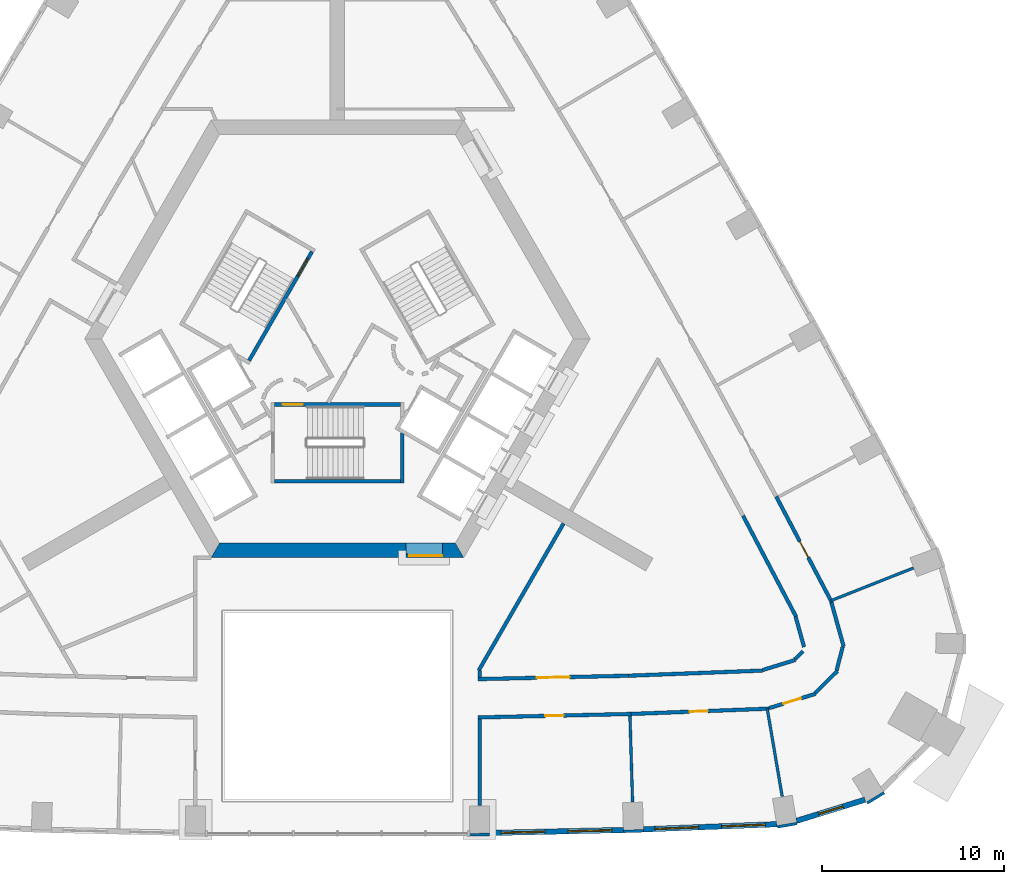
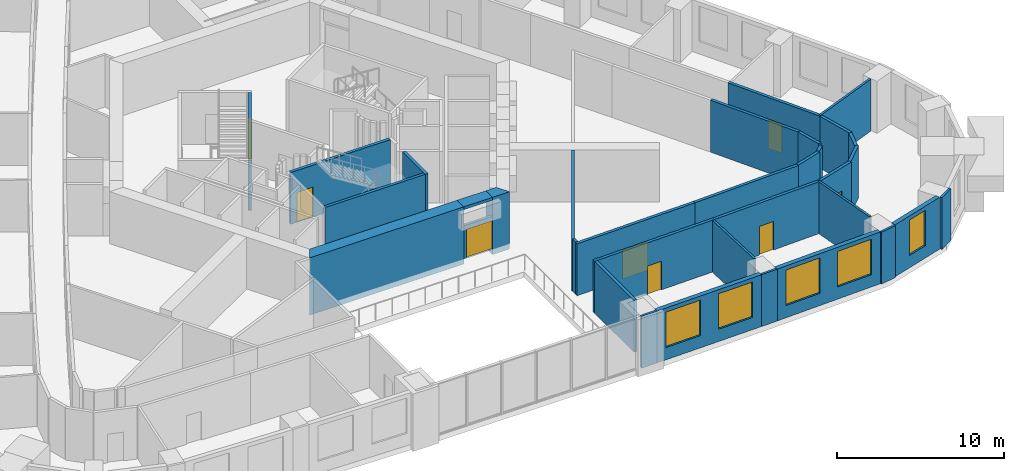
# One storey, part 6 of 14: 34 walls, 8 doors, 5 windows, 13 openings.
"""IFC4 building model written with IfcOpenShell, lengths in metres."""

import ifcopenshell
import ifcopenshell.guid

model = None  # the IFC model being written
_history = None  # IfcOwnerHistory: only IFC2X3 demands one
_inside = {}  # id of a spatial element -> (the spatial element, [elements in it])
_under = {}  # id of a project, library or spatial element -> (it, [spatial elements below it])
_declared = {}  # id of a project -> (the project, [libraries it declares])
_typed = {}  # id of a type object -> (the type object, [elements of that type])
_made_of = {}  # id of a material, layer set ... -> (it, [elements and type objects made of it])


def new_model(schema):
    """Start an empty IFC model of exactly this schema.

    Asked for "IFC4X3", IfcOpenShell would pick the latest addendum, in which some entities
    have other attributes; the version numbers below select the first issue.
    IFC2X3 requires an IfcOwnerHistory on every rooted entity: one is made here for all.
    """
    global model, _history
    if schema == "IFC4X3":
        model = ifcopenshell.file(schema_version=(4, 3, 0, 0))
    else:
        model = ifcopenshell.file(schema=schema)
    _inside.clear()
    _under.clear()
    _declared.clear()
    _typed.clear()
    _made_of.clear()
    _history = None
    if model.schema == "IFC2X3":
        org = make("IfcOrganization", Name="unknown")
        user = make(
            "IfcPersonAndOrganization",
            ThePerson=make("IfcPerson", FamilyName="unknown"),
            TheOrganization=org,
        )
        app = make(
            "IfcApplication",
            ApplicationDeveloper=org,
            Version="unknown",
            ApplicationFullName="unknown",
            ApplicationIdentifier="unknown",
        )
        _history = make(
            "IfcOwnerHistory",
            OwningUser=user,
            OwningApplication=app,
            ChangeAction="ADDED",
            CreationDate=0,
        )
    return model


def make(cls, **values):
    """One entity of the class cls with the attributes given. An attribute that is None is left unset."""
    return model.create_entity(
        cls, **{name: value for name, value in values.items() if value is not None}
    )


def rooted(cls, **values):
    """An entity with a GlobalId (a new one), such as an element, a storey or a relation."""
    return make(cls, GlobalId=ifcopenshell.guid.new(), OwnerHistory=_history, **values)


def si_unit(unit_type, name, prefix=None):
    """IfcSIUnit, for example si_unit("LENGTHUNIT", "METRE", prefix="MILLI")."""
    return make("IfcSIUnit", UnitType=unit_type, Prefix=prefix, Name=name)


def assignment(units):
    """IfcUnitAssignment: the units of a project."""
    return None if units is None else make("IfcUnitAssignment", Units=units)


def point(xyz):
    """IfcCartesianPoint."""
    return None if xyz is None else make("IfcCartesianPoint", Coordinates=xyz)


def direction(xyz):
    """IfcDirection."""
    return None if xyz is None else make("IfcDirection", DirectionRatios=xyz)


def frame(location, z_axis=None, x_axis=None):
    """IfcAxis2Placement3D, a coordinate frame: its origin and axes. An axis left out is left unset."""
    return make(
        "IfcAxis2Placement3D",
        Location=point(location),
        Axis=direction(z_axis),
        RefDirection=direction(x_axis),
    )


def frame_2d(location, x_axis=None):
    """IfcAxis2Placement2D, a coordinate frame in the plane: its origin and x axis."""
    return make(
        "IfcAxis2Placement2D", Location=point(location), RefDirection=direction(x_axis)
    )


def origin():
    """The frame at (0, 0, 0) with its axes left unset."""
    return frame((0.0, 0.0, 0.0))


def place(relative_to, where):
    """IfcLocalPlacement: puts the frame where relative to a parent placement (None: the world)."""
    return make(
        "IfcLocalPlacement", PlacementRelTo=relative_to, RelativePlacement=where
    )


def context(
    kind, dimensions, precision=None, world=None, true_north=None, identifier=None
):
    """IfcGeometricRepresentationContext, for example the 3D "Model" context."""
    return make(
        "IfcGeometricRepresentationContext",
        ContextIdentifier=identifier,
        ContextType=kind,
        CoordinateSpaceDimension=dimensions,
        Precision=precision,
        WorldCoordinateSystem=world,
        TrueNorth=true_north,
    )


def subcontext(parent, identifier, kind, view, scale=None):
    """IfcGeometricRepresentationSubContext, for example "Body" below "Model"."""
    return make(
        "IfcGeometricRepresentationSubContext",
        ContextIdentifier=identifier,
        ContextType=kind,
        ParentContext=parent,
        TargetScale=scale,
        TargetView=view,
    )


def project(units=None, contexts=None):
    """IfcProject with its units and contexts."""
    return rooted(
        "IfcProject",
        Name="project",
        RepresentationContexts=contexts,
        UnitsInContext=assignment(units),
    )


def spatial(cls, under=None, at=None, **own):
    """A site, building, storey or space (cls), placed at a placement, below another one or the project."""
    s = rooted(cls, ObjectPlacement=at, **own)
    if under is not None:
        _under.setdefault(under.id(), (under, []))[1].append(s)
    return s


def polyline(points):
    """IfcPolyline through the points."""
    return make("IfcPolyline", Points=[point(p) for p in points])


def profile(cls, at=None, kind="AREA", **sizes):
    """A parametric profile (cls). Its sizes go by their IFC names, for example OverallWidth=200.0."""
    return make(cls, ProfileType=kind, Position=at, **sizes)


def rectangle(**sizes):
    """IfcRectangleProfileDef."""
    return profile("IfcRectangleProfileDef", **sizes)


def outline(outer, holes=None, kind="AREA"):
    """IfcArbitraryClosedProfileDef: a profile drawn as a closed curve; with holes, ...WithVoids."""
    if holes is None:
        return make("IfcArbitraryClosedProfileDef", ProfileType=kind, OuterCurve=outer)
    return make(
        "IfcArbitraryProfileDefWithVoids",
        ProfileType=kind,
        OuterCurve=outer,
        InnerCurves=holes,
    )


def extrude(swept, where, along, depth):
    """IfcExtrudedAreaSolid: the profile swept, set in the frame where, extruded along a direction by depth."""
    return make(
        "IfcExtrudedAreaSolid",
        SweptArea=swept,
        Position=where,
        ExtrudedDirection=direction(along),
        Depth=depth,
    )


def shape(context_of_items, identifier, shape_type, items):
    """IfcShapeRepresentation: the items that make up one representation, for example the "Body"."""
    return make(
        "IfcShapeRepresentation",
        ContextOfItems=context_of_items,
        RepresentationIdentifier=identifier,
        RepresentationType=shape_type,
        Items=items,
    )


def material(Name=None, Category=None):
    """IfcMaterial."""
    return make("IfcMaterial", Name=Name, Category=Category)


def layer(
    of_material, thickness, ventilated=None, Name=None, Category=None, Priority=None
):
    """IfcMaterialLayer: one layer of a wall or slab, of a material (None: an air gap)."""
    return make(
        "IfcMaterialLayer",
        Material=of_material,
        LayerThickness=thickness,
        IsVentilated=ventilated,
        Name=Name,
        Category=Category,
        Priority=Priority,
    )


def layer_set(layers, Name=None):
    """IfcMaterialLayerSet."""
    return make("IfcMaterialLayerSet", MaterialLayers=layers, LayerSetName=Name)


def made_of(thing, what):
    """Note that an element or type object is made of a material, layer set ...; save() writes the relation."""
    if what is not None:
        _made_of.setdefault(what.id(), (what, []))[1].append(thing)
    return thing


def type_object(cls, material=None, **own):
    """A type object (cls), such as IfcWallType, which elements share."""
    return made_of(rooted(cls, **own), material)


def element(
    cls,
    number,
    at=None,
    inside=None,
    cuts=None,
    type_object=None,
    material=None,
    context=None,
    identifier="Body",
    shape_type=None,
    held_by="IfcProductDefinitionShape",
    body=None,
    shapes=None,
    **own,
):
    """One element of the class cls, such as IfcWall. Its Tag is "e" and its number.

    at: its placement. inside: the storey or other place that contains it. cuts: it is an
    opening in that element (IfcRelVoidsElement). A single representation is given by context,
    identifier, shape_type and body (its items); several are given by shapes. held_by: the class
    of the entity that holds the representations. save() writes the other relations.
    """
    e = rooted(cls, Tag="e%d" % number, ObjectPlacement=at, **own)
    if body is not None:
        shapes = [shape(context, identifier, shape_type, body)]
    if shapes is not None:
        e.Representation = make(held_by, Representations=shapes)
    if inside is not None:
        _inside.setdefault(inside.id(), (inside, []))[1].append(e)
    if cuts is not None:
        rooted(
            "IfcRelVoidsElement", RelatingBuildingElement=cuts, RelatedOpeningElement=e
        )
    if type_object is not None:
        _typed.setdefault(type_object.id(), (type_object, []))[1].append(e)
    return made_of(e, material)


def fill(opening, filler):
    """IfcRelFillsElement: the door or window that sits in an opening."""
    return rooted(
        "IfcRelFillsElement",
        RelatingOpeningElement=opening,
        RelatedBuildingElement=filler,
    )


def aggregate(whole, parts):
    """IfcRelAggregates: a whole, such as a stair, and the parts it consists of."""
    return rooted("IfcRelAggregates", RelatingObject=whole, RelatedObjects=parts)


def save(model, path):
    """Write the relations noted so far, then the file.

    IfcRelAggregates (storeys below a building ...), IfcRelContainedInSpatialStructure (elements
    in a storey), IfcRelDefinesByType, IfcRelAssociatesMaterial and IfcRelDeclares: one each for
    every whole, place, type object, material and project.
    """
    for whole, parts in _under.values():
        aggregate(whole, parts)
    for where, things in _inside.values():
        rooted(
            "IfcRelContainedInSpatialStructure",
            RelatedElements=things,
            RelatingStructure=where,
        )
    for kind, things in _typed.values():
        rooted("IfcRelDefinesByType", RelatedObjects=things, RelatingType=kind)
    for what, things in _made_of.values():
        rooted("IfcRelAssociatesMaterial", RelatedObjects=things, RelatingMaterial=what)
    for by, libraries in _declared.values():
        rooted("IfcRelDeclares", RelatingContext=by, RelatedDefinitions=libraries)
    model.write(path)


model = new_model("IFC4")

# Units and contexts
model_context = context("Model", 3, precision=1e-05, world=origin(), true_north=direction((0.0, 1.0)))
body_context = subcontext(model_context, "Body", "Model", "MODEL_VIEW")
ifc_project = project(units=[si_unit("LENGTHUNIT", "METRE"), si_unit("AREAUNIT", "SQUARE_METRE"), si_unit("VOLUMEUNIT", "CUBIC_METRE"), si_unit("PLANEANGLEUNIT", "RADIAN"), si_unit("MASSUNIT", "GRAM", prefix="KILO")], contexts=[model_context])

# Site, building, storey
site_placement = place(None, origin())
site = spatial("IfcSite", under=ifc_project, at=site_placement, CompositionType="ELEMENT")
building_placement = place(site_placement, origin())
building = spatial("IfcBuilding", under=site, at=building_placement, Name="Entoto Arch Interchange Tower", CompositionType="ELEMENT")
storey_placement = place(building_placement, frame((0.0, 0.0, 159.199951171875)))
storey = spatial("IfcBuildingStorey", under=building, at=storey_placement, Name="L35", CompositionType="ELEMENT", Elevation=159.199951171875)

# Wall, opening, door
ifc_material_1 = material(Name="Reinforced concrete C40/50", Category="concrete")
ifc_layer_1 = layer(ifc_material_1, 0.199951171875)
ifc_layer_set_1 = layer_set([ifc_layer_1], Name="Reinforced concrete C40/50")
wall_type_1 = type_object("IfcWallType", Name="CORE GAP INFILL WALL", PredefinedType="PARTITIONING", material=ifc_layer_set_1)
wall_1_placement = place(storey_placement, frame((3.75, -9.39990234375, 0.0), z_axis=(0.0, 0.0, 1.0), x_axis=(1.0, 0.0, 0.0)))
wall_1 = element("IfcWall", 1, at=wall_1_placement, inside=storey, type_object=wall_type_1, Name="wall:L35:gap1", PredefinedType="PARTITIONING", context=body_context, shape_type="SweptSolid", body=[
    extrude(rectangle(XDim=2.0, YDim=0.199951171875, at=frame_2d((1.0, 0.0))), origin(), (0.0, 0.0, 1.0), 2.400146484375),
])
opening_1_placement = place(wall_1_placement, frame((0.18994140625, 0.0, 0.0)))
opening_1 = element("IfcOpeningElement", 2, at=opening_1_placement, cuts=wall_1, Name="Opening L35-D91", PredefinedType="OPENING", context=body_context, shape_type="SweptSolid", body=[
    extrude(rectangle(XDim=1.800048828125, YDim=2.10009765625, at=frame_2d((0.89990234375, 1.050048828125))), frame((0.0, 0.10986328125, 0.0), z_axis=(0.0, -1.0, 0.0), x_axis=(1.0, 0.0, 0.0)), (0.0, 0.0, 1.0), 0.219970703125),
])
ifc_material_2 = material(Name="Fire-rated Steel S235 door and frame", Category="steel")
door_type_1 = type_object("IfcDoorType", Name="DOOR FD-18 1800x2100", OperationType="DOUBLE_DOOR_SINGLE_SWING", PredefinedType="DOOR", material=ifc_material_2)
door_1_placement = place(opening_1_placement, origin())
door_1 = element("IfcDoor", 3, at=door_1_placement, inside=storey, type_object=door_type_1, Name="door:L35:gap1", OperationType="DOUBLE_DOOR_SINGLE_SWING", OverallHeight=2.10009765625, OverallWidth=1.800048828125, PredefinedType="DOOR", context=body_context, shape_type="SweptSolid", body=[
    extrude(rectangle(XDim=1.800048828125, YDim=2.10009765625, at=frame_2d((0.89990234375, 1.050048828125))), frame((0.0, 0.02490234375, 0.0), z_axis=(0.0, -1.0, 0.0), x_axis=(1.0, 0.0, 0.0)), (0.0, 0.0, 1.0), 0.050048828125),
])
fill(opening_1, door_1)

# Walls
ifc_material_3 = material(Name="Concrete C50/60", Category="concrete")
ifc_layer_2 = layer(ifc_material_3, 0.800048828125)
ifc_layer_set_2 = layer_set([ifc_layer_2], Name="Concrete C50/60")
wall_type_2 = type_object("IfcWallType", Name="Core wall 800 C50/60", PredefinedType="SHEAR", material=ifc_layer_set_2)
wall_2_placement = place(storey_placement, frame((0.0, 0.0, -0.39990234375)))
element("IfcWall", 4, at=wall_2_placement, inside=storey, type_object=wall_type_2, Name="Core wall S L35", PredefinedType="SHEAR", context=body_context, shape_type="SweptSolid", body=[
    extrude(outline(polyline([(3.75, -9.5), (3.75, -8.699951171875), (-6.466064453125, -8.699951171875), (-6.927978515625, -9.5), (3.75, -9.5)])), origin(), (0.0, 0.0, 1.0), 4.199951171875),
])
wall_3_placement = place(storey_placement, frame((0.0, 0.0, -0.39990234375)))
element("IfcWall", 5, at=wall_3_placement, inside=storey, type_object=wall_type_2, Name="Core wall S L35", PredefinedType="SHEAR", context=body_context, shape_type="SweptSolid", body=[
    extrude(outline(polyline([(5.75, -8.699951171875), (5.75, -9.5), (6.927978515625, -9.5), (6.466064453125, -8.699951171875), (5.75, -8.699951171875)])), origin(), (0.0, 0.0, 1.0), 4.199951171875),
])
wall_4_placement = place(storey_placement, frame((0.0, 0.0, 3.60009765625)))
element("IfcWall", 6, at=wall_4_placement, inside=storey, type_object=wall_type_2, Name="Core wall lintel S L35", PredefinedType="SHEAR", context=body_context, shape_type="SweptSolid", body=[
    extrude(outline(polyline([(5.75, -9.5), (5.75, -8.699951171875), (3.75, -8.699951171875), (3.75, -9.5), (5.75, -9.5)])), origin(), (0.0, 0.0, 1.0), 0.199951171875),
])
ifc_material_4 = material(Name="Gypsum board partition on steel studs", Category="steel")
ifc_layer_3 = layer(ifc_material_4, 0.14990234375)
ifc_layer_set_3 = layer_set([ifc_layer_3], Name="Gypsum board partition on steel studs")
wall_type_3 = type_object("IfcWallType", Name="PARTITION 150", PredefinedType="PARTITIONING", material=ifc_layer_set_3)
wall_5_placement = place(storey_placement, frame((16.0390625, -18.1689453125, 0.0), z_axis=(0.0, 0.0, 1.0), x_axis=(0.030457921157, -0.999536049895, 0.0)))
element("IfcWall", 7, at=wall_5_placement, inside=storey, type_object=wall_type_3, Name="wall:L35:p123", PredefinedType="PARTITIONING", context=body_context, shape_type="SweptSolid", body=[
    extrude(rectangle(XDim=4.729248046875, YDim=0.14990234375, at=frame_2d((2.36474609375, 0.0))), origin(), (0.0, 0.0, 1.0), 3.800048828125),
])
wall_6_placement = place(storey_placement, frame((23.56689453125, -17.779052734375, 0.0), z_axis=(0.0, 0.0, 1.0), x_axis=(0.168027663896, -0.985782280306, 0.0)))
element("IfcWall", 8, at=wall_6_placement, inside=storey, type_object=wall_type_3, Name="wall:L35:p124", PredefinedType="PARTITIONING", context=body_context, shape_type="SweptSolid", body=[
    extrude(rectangle(XDim=4.886474609375, YDim=0.14990234375, at=frame_2d((2.443359375, 0.0))), origin(), (0.0, 0.0, 1.0), 3.800048828125),
])
wall_7_placement = place(storey_placement, frame((27.05908203125, -11.85498046875, 0.0), z_axis=(0.0, 0.0, 1.0), x_axis=(0.92964843089, 0.368447818481, 0.0)))
element("IfcWall", 9, at=wall_7_placement, inside=storey, type_object=wall_type_3, Name="wall:L35:p125", PredefinedType="PARTITIONING", context=body_context, shape_type="SweptSolid", body=[
    extrude(rectangle(XDim=4.8662109375, YDim=0.14990234375, at=frame_2d((2.43310546875, 0.0))), origin(), (0.0, 0.0, 1.0), 3.800048828125),
])

# Wall, opening, door
ifc_layer_4 = layer(ifc_material_4, 0.199951171875)
ifc_layer_set_4 = layer_set([ifc_layer_4], Name="Gypsum board partition on steel studs")
wall_type_4 = type_object("IfcWallType", Name="PARTITION 200", PredefinedType="PARTITIONING", material=ifc_layer_set_4)
wall_8_placement = place(storey_placement, frame((7.699951171875, -16.156982421875, 0.0), z_axis=(0.0, 0.0, 1.0), x_axis=(0.999744539931, 0.022602098978, 0.0)))
wall_8 = element("IfcWall", 10, at=wall_8_placement, inside=storey, type_object=wall_type_4, Name="wall:L35:p020", PredefinedType="PARTITIONING", context=body_context, shape_type="SweptSolid", body=[
    extrude(rectangle(XDim=8.274169921875, YDim=0.199951171875, at=frame_2d((4.13720703125, 0.0))), origin(), (0.0, 0.0, 1.0), 3.800048828125),
])
opening_2_placement = place(wall_8_placement, frame((3.237060546875, 0.0, 0.0)))
opening_2 = element("IfcOpeningElement", 11, at=opening_2_placement, cuts=wall_8, Name="Opening L35-D18", PredefinedType="OPENING", context=body_context, shape_type="SweptSolid", body=[
    extrude(rectangle(XDim=1.800048828125, YDim=2.10009765625, at=frame_2d((0.89990234375, 1.050048828125))), frame((0.0, 0.10986328125, 0.0), z_axis=(0.0, -1.0, 0.0), x_axis=(1.0, 0.0, 0.0)), (0.0, 0.0, 1.0), 0.219970703125),
])
ifc_material_5 = material(Name="Timber door leaf in Steel S235 frame", Category="steel")
door_type_2 = type_object("IfcDoorType", Name="DOOR DD-18 1800x2100", OperationType="DOUBLE_DOOR_SINGLE_SWING", PredefinedType="DOOR", material=ifc_material_5)
door_2_placement = place(opening_2_placement, origin())
door_2 = element("IfcDoor", 12, at=door_2_placement, inside=storey, type_object=door_type_2, Name="door:L35:18", OperationType="DOUBLE_DOOR_SINGLE_SWING", OverallHeight=2.10009765625, OverallWidth=1.800048828125, PredefinedType="DOOR", context=body_context, shape_type="SweptSolid", body=[
    extrude(rectangle(XDim=1.800048828125, YDim=2.10009765625, at=frame_2d((0.89990234375, 1.050048828125))), frame((0.0, 0.02490234375, 0.0), z_axis=(0.0, -1.0, 0.0), x_axis=(1.0, 0.0, 0.0)), (0.0, 0.0, 1.0), 0.050048828125),
])
fill(opening_2, door_2)

# Walls
wall_9_placement = place(storey_placement, frame((15.971923828125, -15.969970703125, 0.0), z_axis=(0.0, 0.0, 1.0), x_axis=(0.999262695969, 0.038393546916, 0.0)))
element("IfcWall", 13, at=wall_9_placement, inside=storey, type_object=wall_type_4, Name="wall:L35:p021", PredefinedType="PARTITIONING", context=body_context, shape_type="SweptSolid", body=[
    extrude(rectangle(XDim=7.344482421875, YDim=0.199951171875, at=frame_2d((3.67236328125, 0.0))), origin(), (0.0, 0.0, 1.0), 3.800048828125),
])
wall_10_placement = place(storey_placement, frame((23.306884765625, -15.662109375, 0.0), z_axis=(0.0, 0.0, 1.0), x_axis=(0.955548436851, 0.294834164966, 0.0)))
element("IfcWall", 14, at=wall_10_placement, inside=storey, type_object=wall_type_4, Name="wall:L35:p022", PredefinedType="PARTITIONING", context=body_context, shape_type="SweptSolid", body=[
    extrude(rectangle(XDim=1.879638671875, YDim=0.199951171875, at=frame_2d((0.93994140625, 0.0))), origin(), (0.0, 0.0, 1.0), 3.800048828125),
])
wall_11_placement = place(storey_placement, frame((25.0791015625, -15.06689453125, 0.0), z_axis=(0.0, 0.0, 1.0), x_axis=(0.711758647644, 0.702424108003, 0.0)))
element("IfcWall", 15, at=wall_11_placement, inside=storey, type_object=wall_type_4, Name="wall:L35:p023", PredefinedType="PARTITIONING", context=body_context, shape_type="SweptSolid", body=[
    extrude(rectangle(XDim=0.627685546875, YDim=0.199951171875, at=frame_2d((0.31396484375, 0.0))), origin(), (0.0, 0.0, 1.0), 3.800048828125),
])
wall_12_placement = place(storey_placement, frame((25.5859375, -14.39306640625, 0.0), z_axis=(0.0, 0.0, 1.0), x_axis=(-0.268139825244, 0.963380005044, 0.0)))
element("IfcWall", 16, at=wall_12_placement, inside=storey, type_object=wall_type_4, Name="wall:L35:p024", PredefinedType="PARTITIONING", context=body_context, shape_type="SweptSolid", body=[
    extrude(rectangle(XDim=1.726318359375, YDim=0.199951171875, at=frame_2d((0.86328125, 0.0))), origin(), (0.0, 0.0, 1.0), 3.800048828125),
])
wall_13_placement = place(storey_placement, frame((25.14306640625, -12.721923828125, 0.0), z_axis=(0.0, 0.0, 1.0), x_axis=(-0.465089990515, 0.885263407536, 0.0)))
element("IfcWall", 17, at=wall_13_placement, inside=storey, type_object=wall_type_4, Name="wall:L35:p025", PredefinedType="PARTITIONING", context=body_context, shape_type="SweptSolid", body=[
    extrude(rectangle(XDim=6.23974609375, YDim=0.199951171875, at=frame_2d((3.119873046875, 0.0))), origin(), (0.0, 0.0, 1.0), 3.800048828125),
])

# Wall, opening, door
wall_14_placement = place(storey_placement, frame((16.111083984375, -18.06689453125, 0.0), z_axis=(0.0, 0.0, 1.0), x_axis=(-0.999741835545, -0.022721405353, 0.0)))
wall_14 = element("IfcWall", 18, at=wall_14_placement, inside=storey, type_object=wall_type_4, Name="wall:L35:p040", PredefinedType="PARTITIONING", context=body_context, shape_type="SweptSolid", body=[
    extrude(rectangle(XDim=8.413330078125, YDim=0.199951171875, at=frame_2d((4.20654296875, 0.0))), origin(), (0.0, 0.0, 1.0), 3.800048828125),
])
opening_3_placement = place(wall_14_placement, frame((3.7060546875, 0.0, 0.0)))
opening_3 = element("IfcOpeningElement", 19, at=opening_3_placement, cuts=wall_14, Name="Opening L35-D01", PredefinedType="OPENING", context=body_context, shape_type="SweptSolid", body=[
    extrude(rectangle(XDim=1.0, YDim=2.10009765625, at=frame_2d((0.5, 1.050048828125))), frame((0.0, 0.10986328125, 0.0), z_axis=(0.0, -1.0, 0.0), x_axis=(1.0, 0.0, 0.0)), (0.0, 0.0, 1.0), 0.219970703125),
])
door_type_3 = type_object("IfcDoorType", Name="DOOR DS-10 1000x2100", OperationType="SINGLE_SWING_LEFT", PredefinedType="DOOR", material=ifc_material_5)
door_3_placement = place(opening_3_placement, origin())
door_3 = element("IfcDoor", 20, at=door_3_placement, inside=storey, type_object=door_type_3, Name="door:L35:01", OperationType="SINGLE_SWING_RIGHT", OverallHeight=2.10009765625, OverallWidth=1.0, PredefinedType="DOOR", context=body_context, shape_type="SweptSolid", body=[
    extrude(rectangle(XDim=1.0, YDim=2.10009765625, at=frame_2d((0.5, 1.050048828125))), frame((0.0, 0.02490234375, 0.0), z_axis=(0.0, -1.0, 0.0), x_axis=(1.0, 0.0, 0.0)), (0.0, 0.0, 1.0), 0.050048828125),
])
fill(opening_3, door_3)

wall_15_placement = place(storey_placement, frame((23.6669921875, -17.77587890625, 0.0), z_axis=(0.0, 0.0, 1.0), x_axis=(-0.999264080977, -0.038357482575, 0.0)))
wall_15 = element("IfcWall", 21, at=wall_15_placement, inside=storey, type_object=wall_type_4, Name="wall:L35:p041", PredefinedType="PARTITIONING", context=body_context, shape_type="SweptSolid", body=[
    extrude(rectangle(XDim=7.5615234375, YDim=0.199951171875, at=frame_2d((3.78076171875, 0.0))), origin(), (0.0, 0.0, 1.0), 3.800048828125),
])
opening_4_placement = place(wall_15_placement, frame((3.35595703125, 0.0, 0.0)))
opening_4 = element("IfcOpeningElement", 22, at=opening_4_placement, cuts=wall_15, Name="Opening L35-D02", PredefinedType="OPENING", context=body_context, shape_type="SweptSolid", body=[
    extrude(rectangle(XDim=1.0, YDim=2.10009765625, at=frame_2d((0.5, 1.050048828125))), frame((0.0, 0.10986328125, 0.0), z_axis=(0.0, -1.0, 0.0), x_axis=(1.0, 0.0, 0.0)), (0.0, 0.0, 1.0), 0.219970703125),
])
door_4_placement = place(opening_4_placement, origin())
door_4 = element("IfcDoor", 23, at=door_4_placement, inside=storey, type_object=door_type_3, Name="door:L35:02", OperationType="SINGLE_SWING_LEFT", OverallHeight=2.10009765625, OverallWidth=1.0, PredefinedType="DOOR", context=body_context, shape_type="SweptSolid", body=[
    extrude(rectangle(XDim=1.0, YDim=2.10009765625, at=frame_2d((0.5, 1.050048828125))), frame((0.0, 0.02490234375, 0.0), z_axis=(0.0, -1.0, 0.0), x_axis=(1.0, 0.0, 0.0)), (0.0, 0.0, 1.0), 0.050048828125),
])
fill(opening_4, door_4)

# Walls
wall_16_placement = place(storey_placement, frame((27.0859375, -11.951904296875, 0.0), z_axis=(0.0, 0.0, 1.0), x_axis=(0.267909096687, -0.963444194498, 0.0)))
element("IfcWall", 24, at=wall_16_placement, inside=storey, type_object=wall_type_4, Name="wall:L35:p042", PredefinedType="PARTITIONING", context=body_context, shape_type="SweptSolid", body=[
    extrude(rectangle(XDim=2.51611328125, YDim=0.199951171875, at=frame_2d((1.258056640625, 0.0))), origin(), (0.0, 0.0, 1.0), 3.800048828125),
])
wall_17_placement = place(storey_placement, frame((27.7080078125, -14.3759765625, 0.0), z_axis=(0.0, 0.0, 1.0), x_axis=(-0.25159336549, -0.967833032316, 0.0)))
element("IfcWall", 25, at=wall_17_placement, inside=storey, type_object=wall_type_4, Name="wall:L35:p043", PredefinedType="PARTITIONING", context=body_context, shape_type="SweptSolid", body=[
    extrude(rectangle(XDim=1.355712890625, YDim=0.199951171875, at=frame_2d((0.677734375, 0.0))), origin(), (0.0, 0.0, 1.0), 3.800048828125),
])
wall_18_placement = place(storey_placement, frame((27.4130859375, -15.715087890625, 0.0), z_axis=(0.0, 0.0, 1.0), x_axis=(-0.712339678389, -0.701834868465, 0.0)))
element("IfcWall", 26, at=wall_18_placement, inside=storey, type_object=wall_type_4, Name="wall:L35:p044", PredefinedType="PARTITIONING", context=body_context, shape_type="SweptSolid", body=[
    extrude(rectangle(XDim=1.7197265625, YDim=0.199951171875, at=frame_2d((0.85986328125, 0.0))), origin(), (0.0, 0.0, 1.0), 3.800048828125),
])

# Wall, opening, door
wall_19_placement = place(storey_placement, frame((26.212890625, -16.962890625, 0.0), z_axis=(0.0, 0.0, 1.0), x_axis=(-0.955509582123, -0.294960062501, 0.0)))
wall_19 = element("IfcWall", 27, at=wall_19_placement, inside=storey, type_object=wall_type_4, Name="wall:L35:p045", PredefinedType="PARTITIONING", context=body_context, shape_type="SweptSolid", body=[
    extrude(rectangle(XDim=2.66845703125, YDim=0.199951171875, at=frame_2d((1.334228515625, 0.0))), origin(), (0.0, 0.0, 1.0), 3.800048828125),
])
opening_5_placement = place(wall_19_placement, frame((0.833984375, 0.0, 0.0)))
opening_5 = element("IfcOpeningElement", 28, at=opening_5_placement, cuts=wall_19, Name="Opening L35-D03", PredefinedType="OPENING", context=body_context, shape_type="SweptSolid", body=[
    extrude(rectangle(XDim=1.0, YDim=2.10009765625, at=frame_2d((0.5, 1.050048828125))), frame((0.0, 0.10986328125, 0.0), z_axis=(0.0, -1.0, 0.0), x_axis=(1.0, 0.0, 0.0)), (0.0, 0.0, 1.0), 0.219970703125),
])
door_5_placement = place(opening_5_placement, origin())
door_5 = element("IfcDoor", 29, at=door_5_placement, inside=storey, type_object=door_type_3, Name="door:L35:03", OperationType="SINGLE_SWING_LEFT", OverallHeight=2.10009765625, OverallWidth=1.0, PredefinedType="DOOR", context=body_context, shape_type="SweptSolid", body=[
    extrude(rectangle(XDim=1.0, YDim=2.10009765625, at=frame_2d((0.5, 1.050048828125))), frame((0.0, 0.02490234375, 0.0), z_axis=(0.0, -1.0, 0.0), x_axis=(1.0, 0.0, 0.0)), (0.0, 0.0, 1.0), 0.050048828125),
])
fill(opening_5, door_5)

wall_20_placement = place(storey_placement, frame((24.05908203125, -6.14306640625, 0.0), z_axis=(0.0, 0.0, 1.0), x_axis=(0.464993808059, -0.885313932154, 0.0)))
wall_20 = element("IfcWall", 30, at=wall_20_placement, inside=storey, type_object=wall_type_4, Name="wall:L35:p046", PredefinedType="PARTITIONING", context=body_context, shape_type="SweptSolid", body=[
    extrude(rectangle(XDim=6.552490234375, YDim=0.199951171875, at=frame_2d((3.2763671875, 0.0))), origin(), (0.0, 0.0, 1.0), 3.800048828125),
])
opening_6_placement = place(wall_20_placement, frame((2.77587890625, 0.0, 0.0)))
opening_6 = element("IfcOpeningElement", 31, at=opening_6_placement, cuts=wall_20, Name="Opening L35-D04", PredefinedType="OPENING", context=body_context, shape_type="SweptSolid", body=[
    extrude(rectangle(XDim=1.0, YDim=2.10009765625, at=frame_2d((0.5, 1.050048828125))), frame((0.0, 0.10986328125, 0.0), z_axis=(0.0, -1.0, 0.0), x_axis=(1.0, 0.0, 0.0)), (0.0, 0.0, 1.0), 0.219970703125),
])
door_6_placement = place(opening_6_placement, origin())
door_6 = element("IfcDoor", 32, at=door_6_placement, inside=storey, type_object=door_type_3, Name="door:L35:04", OperationType="SINGLE_SWING_LEFT", OverallHeight=2.10009765625, OverallWidth=1.0, PredefinedType="DOOR", context=body_context, shape_type="SweptSolid", body=[
    extrude(rectangle(XDim=1.0, YDim=2.10009765625, at=frame_2d((0.5, 1.050048828125))), frame((0.0, 0.02490234375, 0.0), z_axis=(0.0, -1.0, 0.0), x_axis=(1.0, 0.0, 0.0)), (0.0, 0.0, 1.0), 0.050048828125),
])
fill(opening_6, door_6)

# Walls
wall_21_placement = place(storey_placement, frame((7.800048828125, -15.68994140625, 0.0), z_axis=(0.0, 0.0, 1.0), x_axis=(0.0, -1.0, 0.0)))
element("IfcWall", 33, at=wall_21_placement, inside=storey, type_object=wall_type_4, Name="wall:L35:p104", PredefinedType="PARTITIONING", context=body_context, shape_type="SweptSolid", body=[
    extrude(rectangle(XDim=0.364990234375, YDim=0.199951171875, at=frame_2d((0.1826171875, 0.0))), origin(), (0.0, 0.0, 1.0), 3.800048828125),
])
wall_22_placement = place(storey_placement, frame((7.800048828125, -18.35498046875, 0.0), z_axis=(0.0, 0.0, 1.0), x_axis=(0.0, -1.0, 0.0)))
element("IfcWall", 34, at=wall_22_placement, inside=storey, type_object=wall_type_4, Name="wall:L35:p108", PredefinedType="PARTITIONING", context=body_context, shape_type="SweptSolid", body=[
    extrude(rectangle(XDim=4.73193359375, YDim=0.199951171875, at=frame_2d((2.365966796875, 0.0))), origin(), (0.0, 0.0, 1.0), 3.800048828125),
])
wall_23_placement = place(storey_placement, frame((12.40087890625, -7.62109375, 0.0), z_axis=(0.0, 0.0, 1.0), x_axis=(-0.499983724212, -0.866034800411, 0.0)))
element("IfcWall", 35, at=wall_23_placement, inside=storey, type_object=wall_type_4, Name="wall:L35:p110", PredefinedType="PARTITIONING", context=body_context, shape_type="SweptSolid", body=[
    extrude(rectangle(XDim=9.302001953125, YDim=0.199951171875, at=frame_2d((4.65087890625, 0.0))), origin(), (0.0, 0.0, 1.0), 3.800048828125),
])
ifc_material_6 = material(Name="Concrete C40/50", Category="concrete")
ifc_layer_5 = layer(ifc_material_6, 0.199951171875)
ifc_layer_set_5 = layer_set([ifc_layer_5], Name="Concrete C40/50")
wall_type_5 = type_object("IfcWallType", Name="STAIR ENCLOSURE WALL 200", PredefinedType="STANDARD", material=ifc_layer_set_5)
wall_24_placement = place(storey_placement, frame((3.550048828125, -2.6669921875, 0.0), z_axis=(0.0, 0.0, 1.0), x_axis=(0.0, -1.0, 0.0)))
element("IfcWall", 36, at=wall_24_placement, inside=storey, type_object=wall_type_5, Name="Stair wall ST-S far", PredefinedType="STANDARD", context=body_context, shape_type="SweptSolid", body=[
    extrude(rectangle(XDim=2.73291015625, YDim=0.199951171875, at=frame_2d((1.366455078125, 0.0))), origin(), (0.0, 0.0, 1.0), 3.800048828125),
])

# Wall, opening, door
wall_25_placement = place(storey_placement, frame((-3.449951171875, -1.10009765625, 0.0), z_axis=(0.0, 0.0, 1.0), x_axis=(1.0, 0.0, 0.0)))
wall_25 = element("IfcWall", 37, at=wall_25_placement, inside=storey, type_object=wall_type_5, Name="Stair wall ST-S hall", PredefinedType="STANDARD", context=body_context, shape_type="SweptSolid", body=[
    extrude(rectangle(XDim=6.89990234375, YDim=0.199951171875, at=frame_2d((3.449951171875, 0.0))), origin(), (0.0, 0.0, 1.0), 3.800048828125),
])
opening_7_placement = place(wall_25_placement, frame((0.449951171875, 0.0, 0.0)))
opening_7 = element("IfcOpeningElement", 38, at=opening_7_placement, cuts=wall_25, Name="Opening SD-ST-S-L35", PredefinedType="OPENING", context=body_context, shape_type="SweptSolid", body=[
    extrude(rectangle(XDim=1.10009765625, YDim=2.199951171875, at=frame_2d((0.550048828125, 1.10009765625))), frame((0.0, 0.10986328125, 0.0), z_axis=(0.0, -1.0, 0.0), x_axis=(1.0, 0.0, 0.0)), (0.0, 0.0, 1.0), 0.219970703125),
])
ifc_material_7 = material(Name="Steel S235", Category="steel")
door_type_4 = type_object("IfcDoorType", Name="STAIR DOOR SD1 1100x2200", OperationType="SINGLE_SWING_LEFT", PredefinedType="DOOR", material=ifc_material_7)
door_7_placement = place(opening_7_placement, origin())
door_7 = element("IfcDoor", 39, at=door_7_placement, inside=storey, type_object=door_type_4, Name="Stair door ST-S L35", OperationType="SINGLE_SWING_LEFT", OverallHeight=2.199951171875, OverallWidth=1.10009765625, PredefinedType="DOOR", context=body_context, shape_type="SweptSolid", body=[
    extrude(rectangle(XDim=1.10009765625, YDim=2.199951171875, at=frame_2d((0.550048828125, 1.10009765625))), frame((0.0, 0.02490234375, 0.0), z_axis=(0.0, -1.0, 0.0), x_axis=(1.0, 0.0, 0.0)), (0.0, 0.0, 1.0), 0.050048828125),
])
fill(opening_7, door_7)

# Wall
wall_26_placement = place(storey_placement, frame((-3.449951171875, -5.300048828125, 0.0), z_axis=(0.0, 0.0, 1.0), x_axis=(1.0, 0.0, 0.0)))
element("IfcWall", 40, at=wall_26_placement, inside=storey, type_object=wall_type_5, Name="Stair wall ST-S back", PredefinedType="STANDARD", context=body_context, shape_type="SweptSolid", body=[
    extrude(rectangle(XDim=6.89990234375, YDim=0.199951171875, at=frame_2d((3.449951171875, 0.0))), origin(), (0.0, 0.0, 1.0), 3.800048828125),
])

# Wall, opening, door
wall_27_placement = place(storey_placement, frame((-1.39306640625, 7.2880859375, 0.0), z_axis=(0.0, 0.0, 1.0), x_axis=(-0.499963383562, -0.866046543262, 0.0)))
wall_27 = element("IfcWall", 41, at=wall_27_placement, inside=storey, type_object=wall_type_5, Name="Stair wall ST-NW hall", PredefinedType="STANDARD", context=body_context, shape_type="SweptSolid", body=[
    extrude(rectangle(XDim=6.900390625, YDim=0.199951171875, at=frame_2d((3.4501953125, 0.0))), origin(), (0.0, 0.0, 1.0), 3.800048828125),
])
opening_8_placement = place(wall_27_placement, frame((0.449951171875, 0.0, 0.0)))
opening_8 = element("IfcOpeningElement", 42, at=opening_8_placement, cuts=wall_27, Name="Opening SD-ST-NW-L35", PredefinedType="OPENING", context=body_context, shape_type="SweptSolid", body=[
    extrude(rectangle(XDim=1.10009765625, YDim=2.199951171875, at=frame_2d((0.550048828125, 1.10009765625))), frame((0.0, 0.10986328125, 0.0), z_axis=(0.0, -1.0, 0.0), x_axis=(1.0, 0.0, 0.0)), (0.0, 0.0, 1.0), 0.219970703125),
])
door_8_placement = place(opening_8_placement, origin())
door_8 = element("IfcDoor", 43, at=door_8_placement, inside=storey, type_object=door_type_4, Name="Stair door ST-NW L35", OperationType="SINGLE_SWING_LEFT", OverallHeight=2.199951171875, OverallWidth=1.10009765625, PredefinedType="DOOR", context=body_context, shape_type="SweptSolid", body=[
    extrude(rectangle(XDim=1.10009765625, YDim=2.199951171875, at=frame_2d((0.550048828125, 1.10009765625))), frame((0.0, 0.02490234375, 0.0), z_axis=(0.0, -1.0, 0.0), x_axis=(1.0, 0.0, 0.0)), (0.0, 0.0, 1.0), 0.050048828125),
])
fill(opening_8, door_8)

# Wall, openings, windows
ifc_material_8 = material(Name="Welded tuff (ignimbrite) cladding, warm buff", Category="masonry")
ifc_layer_6 = layer(ifc_material_8, 0.300048828125)
ifc_layer_set_6 = layer_set([ifc_layer_6], Name="Welded tuff (ignimbrite) cladding, warm buff")
wall_type_6 = type_object("IfcWallType", Name="STONE INFILL WALL 300", PredefinedType="STANDARD", material=ifc_layer_set_6)
wall_28_placement = place(storey_placement, frame((8.346923828125, -24.594970703125, 0.0), z_axis=(0.0, 0.0, 1.0), x_axis=(0.999743825009, 0.022633699594, 0.0)))
wall_28 = element("IfcWall", 44, at=wall_28_placement, inside=storey, type_object=wall_type_6, Name="Facade wall S-04 L35", PredefinedType="STANDARD", context=body_context, shape_type="SweptSolid", body=[
    extrude(rectangle(XDim=7.3349609375, YDim=0.300048828125, at=frame_2d((3.66748046875, 0.0))), origin(), (0.0, 0.0, 1.0), 3.800048828125),
])
opening_9_placement = place(wall_28_placement, frame((0.634033203125, 0.0, 0.89990234375)))
opening_9 = element("IfcOpeningElement", 45, at=opening_9_placement, cuts=wall_28, Name="Opening WO-A", PredefinedType="OPENING", context=body_context, shape_type="SweptSolid", body=[
    extrude(rectangle(XDim=2.39990234375, YDim=2.60009765625, at=frame_2d((1.199951171875, 1.300048828125))), frame((0.0, 0.16015625, 0.0), z_axis=(0.0, -1.0, 0.0), x_axis=(1.0, 0.0, 0.0)), (0.0, 0.0, 1.0), 0.320068359375),
])
opening_10_placement = place(wall_28_placement, frame((4.301025390625, 0.0, 0.89990234375)))
opening_10 = element("IfcOpeningElement", 46, at=opening_10_placement, cuts=wall_28, Name="Opening WO-A", PredefinedType="OPENING", context=body_context, shape_type="SweptSolid", body=[
    extrude(rectangle(XDim=2.39990234375, YDim=2.60009765625, at=frame_2d((1.199951171875, 1.300048828125))), frame((0.0, 0.16015625, 0.0), z_axis=(0.0, -1.0, 0.0), x_axis=(1.0, 0.0, 0.0)), (0.0, 0.0, 1.0), 0.320068359375),
])
ifc_material_9 = material(Name="Clear glass, low-e double glazed", Category="glass")
window_type_1 = type_object("IfcWindowType", Name="WINDOW WO-A 2400x2600", PartitioningType="DOUBLE_PANEL_VERTICAL", PredefinedType="WINDOW", material=ifc_material_9)
window_1_placement = place(opening_9_placement, origin())
window_1 = element("IfcWindow", 47, at=window_1_placement, inside=storey, type_object=window_type_1, Name="Window WO-A S-04 L35", OverallHeight=2.60009765625, OverallWidth=2.39990234375, PartitioningType="SINGLE_PANEL", PredefinedType="WINDOW", context=body_context, shape_type="SweptSolid", body=[
    extrude(rectangle(XDim=2.39990234375, YDim=2.60009765625, at=frame_2d((1.199951171875, 1.300048828125))), frame((0.0, 0.030029296875, 0.0), z_axis=(0.0, -1.0, 0.0), x_axis=(1.0, 0.0, 0.0)), (0.0, 0.0, 1.0), 0.06005859375),
])
fill(opening_9, window_1)
window_2_placement = place(opening_10_placement, origin())
window_2 = element("IfcWindow", 48, at=window_2_placement, inside=storey, type_object=window_type_1, Name="Window WO-A S-04 L35", OverallHeight=2.60009765625, OverallWidth=2.39990234375, PartitioningType="SINGLE_PANEL", PredefinedType="WINDOW", context=body_context, shape_type="SweptSolid", body=[
    extrude(rectangle(XDim=2.39990234375, YDim=2.60009765625, at=frame_2d((1.199951171875, 1.300048828125))), frame((0.0, 0.030029296875, 0.0), z_axis=(0.0, -1.0, 0.0), x_axis=(1.0, 0.0, 0.0)), (0.0, 0.0, 1.0), 0.06005859375),
])
fill(opening_10, window_2)

wall_29_placement = place(storey_placement, frame((16.778076171875, -24.39501953125, 0.0), z_axis=(0.0, 0.0, 1.0), x_axis=(0.999262356942, 0.038402369711, 0.0)))
wall_29 = element("IfcWall", 49, at=wall_29_placement, inside=storey, type_object=wall_type_6, Name="Facade wall S-05 L35", PredefinedType="STANDARD", context=body_context, shape_type="SweptSolid", body=[
    extrude(rectangle(XDim=7.3173828125, YDim=0.300048828125, at=frame_2d((3.65869140625, 0.0))), origin(), (0.0, 0.0, 1.0), 3.800048828125),
])
opening_11_placement = place(wall_29_placement, frame((0.62890625, 0.0, 0.89990234375)))
opening_11 = element("IfcOpeningElement", 50, at=opening_11_placement, cuts=wall_29, Name="Opening WO-A", PredefinedType="OPENING", context=body_context, shape_type="SweptSolid", body=[
    extrude(rectangle(XDim=2.39990234375, YDim=2.60009765625, at=frame_2d((1.199951171875, 1.300048828125))), frame((0.0, 0.16015625, 0.0), z_axis=(0.0, -1.0, 0.0), x_axis=(1.0, 0.0, 0.0)), (0.0, 0.0, 1.0), 0.320068359375),
])
opening_12_placement = place(wall_29_placement, frame((4.2880859375, 0.0, 0.89990234375)))
opening_12 = element("IfcOpeningElement", 51, at=opening_12_placement, cuts=wall_29, Name="Opening WO-A", PredefinedType="OPENING", context=body_context, shape_type="SweptSolid", body=[
    extrude(rectangle(XDim=2.39990234375, YDim=2.60009765625, at=frame_2d((1.199951171875, 1.300048828125))), frame((0.0, 0.16015625, 0.0), z_axis=(0.0, -1.0, 0.0), x_axis=(1.0, 0.0, 0.0)), (0.0, 0.0, 1.0), 0.320068359375),
])
window_3_placement = place(opening_11_placement, origin())
window_3 = element("IfcWindow", 52, at=window_3_placement, inside=storey, type_object=window_type_1, Name="Window WO-A S-05 L35", OverallHeight=2.60009765625, OverallWidth=2.39990234375, PartitioningType="SINGLE_PANEL", PredefinedType="WINDOW", context=body_context, shape_type="SweptSolid", body=[
    extrude(rectangle(XDim=2.39990234375, YDim=2.60009765625, at=frame_2d((1.199951171875, 1.300048828125))), frame((0.0, 0.030029296875, 0.0), z_axis=(0.0, -1.0, 0.0), x_axis=(1.0, 0.0, 0.0)), (0.0, 0.0, 1.0), 0.06005859375),
])
fill(opening_11, window_3)
window_4_placement = place(opening_12_placement, origin())
window_4 = element("IfcWindow", 53, at=window_4_placement, inside=storey, type_object=window_type_1, Name="Window WO-A S-05 L35", OverallHeight=2.60009765625, OverallWidth=2.39990234375, PartitioningType="SINGLE_PANEL", PredefinedType="WINDOW", context=body_context, shape_type="SweptSolid", body=[
    extrude(rectangle(XDim=2.39990234375, YDim=2.60009765625, at=frame_2d((1.199951171875, 1.300048828125))), frame((0.0, 0.030029296875, 0.0), z_axis=(0.0, -1.0, 0.0), x_axis=(1.0, 0.0, 0.0)), (0.0, 0.0, 1.0), 0.06005859375),
])
fill(opening_12, window_4)

# Wall, opening, window
wall_30_placement = place(storey_placement, frame((25.173095703125, -23.929931640625, 0.0), z_axis=(0.0, 0.0, 1.0), x_axis=(0.955473661147, 0.295076401723, 0.0)))
wall_30 = element("IfcWall", 54, at=wall_30_placement, inside=storey, type_object=wall_type_6, Name="Facade wall SE-01 L35", PredefinedType="STANDARD", context=body_context, shape_type="SweptSolid", body=[
    extrude(rectangle(XDim=3.930908203125, YDim=0.300048828125, at=frame_2d((1.96533203125, 0.0))), origin(), (0.0, 0.0, 1.0), 3.800048828125),
])
opening_13_placement = place(wall_30_placement, frame((1.26611328125, 0.0, 0.89990234375)))
opening_13 = element("IfcOpeningElement", 55, at=opening_13_placement, cuts=wall_30, Name="Opening WO-B", PredefinedType="OPENING", context=body_context, shape_type="SweptSolid", body=[
    extrude(rectangle(XDim=1.39990234375, YDim=2.60009765625, at=frame_2d((0.699951171875, 1.300048828125))), frame((0.0, 0.16015625, 0.0), z_axis=(0.0, -1.0, 0.0), x_axis=(1.0, 0.0, 0.0)), (0.0, 0.0, 1.0), 0.320068359375),
])
window_type_2 = type_object("IfcWindowType", Name="WINDOW WO-B 1400x2600", PartitioningType="DOUBLE_PANEL_VERTICAL", PredefinedType="WINDOW", material=ifc_material_9)
window_5_placement = place(opening_13_placement, origin())
window_5 = element("IfcWindow", 56, at=window_5_placement, inside=storey, type_object=window_type_2, Name="Window WO-B SE-01 L35", OverallHeight=2.60009765625, OverallWidth=1.39990234375, PartitioningType="SINGLE_PANEL", PredefinedType="WINDOW", context=body_context, shape_type="SweptSolid", body=[
    extrude(rectangle(XDim=1.39990234375, YDim=2.60009765625, at=frame_2d((0.699951171875, 1.300048828125))), frame((0.0, 0.030029296875, 0.0), z_axis=(0.0, -1.0, 0.0), x_axis=(1.0, 0.0, 0.0)), (0.0, 0.0, 1.0), 0.06005859375),
])
fill(opening_13, window_5)

# Walls
ifc_layer_7 = layer(ifc_material_8, 0.14990234375)
ifc_layer_set_7 = layer_set([ifc_layer_7], Name="Welded tuff (ignimbrite) cladding, warm buff")
wall_type_7 = type_object("IfcWallType", Name="STONE PIER CLADDING 150", PredefinedType="STANDARD", material=ifc_layer_set_7)
wall_31_placement = place(storey_placement, frame((7.2490234375, -24.68798828125, 0.0), z_axis=(0.0, 0.0, 1.0), x_axis=(0.999940879068, 0.010873746799, 0.0)))
element("IfcWall", 57, at=wall_31_placement, inside=storey, type_object=wall_type_7, Name="Stone pier S04 L35", PredefinedType="STANDARD", context=body_context, shape_type="SweptSolid", body=[
    extrude(rectangle(XDim=1.10009765625, YDim=0.14990234375, at=frame_2d((0.550048828125, 0.0))), origin(), (0.0, 0.0, 1.0), 3.800048828125),
])
wall_32_placement = place(storey_placement, frame((15.681884765625, -24.508056640625, 0.0), z_axis=(0.0, 0.0, 1.0), x_axis=(0.999523702549, 0.030860460829, 0.0)))
element("IfcWall", 58, at=wall_32_placement, inside=storey, type_object=wall_type_7, Name="Stone pier S05 L35", PredefinedType="STANDARD", context=body_context, shape_type="SweptSolid", body=[
    extrude(rectangle(XDim=1.099609375, YDim=0.14990234375, at=frame_2d((0.5498046875, 0.0))), origin(), (0.0, 0.0, 1.0), 3.800048828125),
])
wall_33_placement = place(storey_placement, frame((24.114013671875, -24.260986328125, 0.0), z_axis=(0.0, 0.0, 1.0), x_axis=(0.985763338892, 0.168138751323, 0.0)))
element("IfcWall", 59, at=wall_33_placement, inside=storey, type_object=wall_type_7, Name="Stone pier S06 L35", PredefinedType="STANDARD", context=body_context, shape_type="SweptSolid", body=[
    extrude(rectangle(XDim=1.1005859375, YDim=0.14990234375, at=frame_2d((0.55029296875, 0.0))), origin(), (0.0, 0.0, 1.0), 3.800048828125),
])
wall_34_placement = place(storey_placement, frame((29.0419921875, -22.95703125, 0.0), z_axis=(0.0, 0.0, 1.0), x_axis=(0.854005542721, 0.520263907071, 0.0)))
element("IfcWall", 60, at=wall_34_placement, inside=storey, type_object=wall_type_7, Name="Stone pier SE1 L35", PredefinedType="STANDARD", context=body_context, shape_type="SweptSolid", body=[
    extrude(rectangle(XDim=1.099365234375, YDim=0.14990234375, at=frame_2d((0.5498046875, 0.0))), origin(), (0.0, 0.0, 1.0), 3.800048828125),
])

save(model, "model.ifc")
